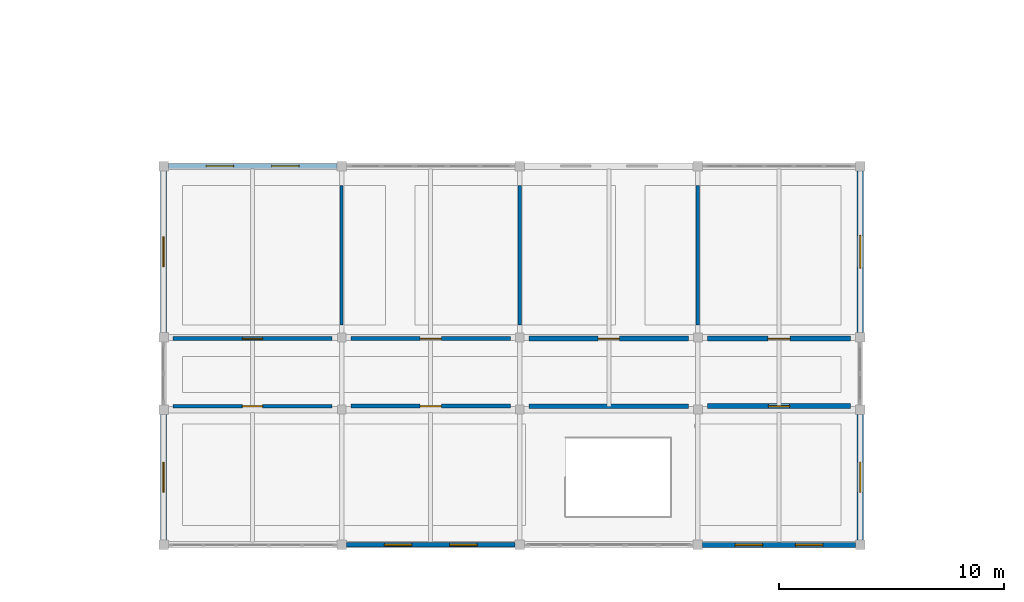
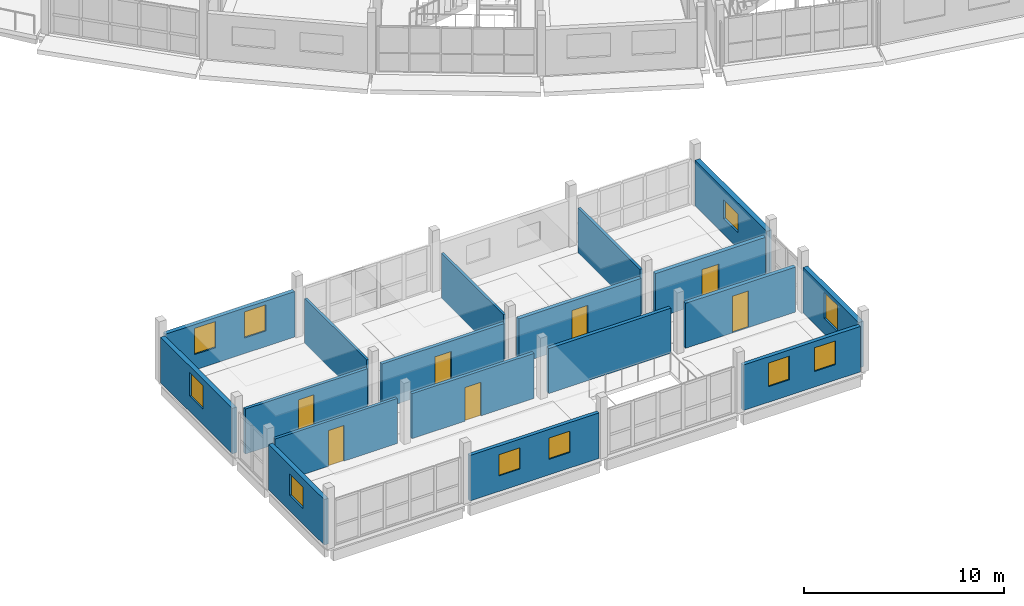
# One storey, part 52 of 66: 18 walls, 10 windows, 7 doors, 17 openings.
"""IFC4 building model written with IfcOpenShell, lengths in metres."""

from ifc_helpers import new_model, si_unit, direction, frame, frame_2d, origin, place, context, subcontext, project, spatial, rectangle, extrude, material, layer, layer_set, type_object, element, fill, save


model = new_model("IFC4")

# Units and contexts
model_context = context("Model", 3, precision=1e-05, world=origin(), true_north=direction((0.0, 1.0)))
body_context = subcontext(model_context, "Body", "Model", "MODEL_VIEW")
ifc_project = project(units=[si_unit("LENGTHUNIT", "METRE"), si_unit("AREAUNIT", "SQUARE_METRE"), si_unit("VOLUMEUNIT", "CUBIC_METRE"), si_unit("PLANEANGLEUNIT", "RADIAN"), si_unit("MASSUNIT", "GRAM", prefix="KILO")], contexts=[model_context])

# Site, building, storey
site_placement = place(None, origin())
site = spatial("IfcSite", under=ifc_project, at=site_placement, CompositionType="ELEMENT")
building_placement = place(site_placement, origin())
building = spatial("IfcBuilding", under=site, at=building_placement, Name="Caldaven Crescent School", CompositionType="ELEMENT")
storey_placement = place(building_placement, frame((0.0, 0.0, 8.159912109375)))
storey = spatial("IfcBuildingStorey", under=building, at=storey_placement, Name="L02", CompositionType="ELEMENT", Elevation=8.159912109375)

# Wall, openings, windows
ifc_material_1 = material(Name="Precast concrete C35/45", Category="concrete")
ifc_layer_1 = layer(ifc_material_1, 0.2041015625)
ifc_layer_set_1 = layer_set([ifc_layer_1], Name="Precast concrete C35/45")
wall_type_1 = type_object("IfcWallType", Name="WAL-EW02", PredefinedType="STANDARD", material=ifc_layer_set_1)
wall_1_placement = place(storey_placement, frame((33.613037109375, 4.199951171875, 0.0), z_axis=(0.0, 0.0, 1.0), x_axis=(1.0, 0.0, 0.0)))
wall_1 = element("IfcWall", 1, at=wall_1_placement, inside=storey, type_object=wall_type_1, Name="EW-L02-071", PredefinedType="STANDARD", context=body_context, shape_type="SweptSolid", body=[
    extrude(rectangle(XDim=7.473876953125, YDim=0.2041015625, at=frame_2d((3.73681640625, 0.0))), origin(), (0.0, 0.0, 1.0), 2.780029296875),
])
opening_1_placement = place(wall_1_placement, frame((1.677978515625, 0.0, 0.949951171875)))
opening_1 = element("IfcOpeningElement", 2, at=opening_1_placement, cuts=wall_1, Name="Opening W06", PredefinedType="OPENING", context=body_context, shape_type="SweptSolid", body=[
    extrude(rectangle(XDim=1.219970703125, YDim=1.300048828125, at=frame_2d((0.60986328125, 0.64990234375))), frame((0.0, 0.112060546875, 0.0), z_axis=(0.0, -1.0, 0.0), x_axis=(1.0, 0.0, 0.0)), (0.0, 0.0, 1.0), 0.22412109375),
])
opening_2_placement = place(wall_1_placement, frame((4.575927734375, 0.0, 0.949951171875)))
opening_2 = element("IfcOpeningElement", 3, at=opening_2_placement, cuts=wall_1, Name="Opening W06", PredefinedType="OPENING", context=body_context, shape_type="SweptSolid", body=[
    extrude(rectangle(XDim=1.219970703125, YDim=1.300048828125, at=frame_2d((0.60986328125, 0.64990234375))), frame((0.0, 0.112060546875, 0.0), z_axis=(0.0, -1.0, 0.0), x_axis=(1.0, 0.0, 0.0)), (0.0, 0.0, 1.0), 0.22412109375),
])
ifc_material_2 = material(Name="Thermally broken anodised aluminium AA 6063-T6 and low-E double glazing", Category="aluminium")
window_type_1 = type_object("IfcWindowType", Name="WIN-W06", PartitioningType="SINGLE_PANEL", PredefinedType="WINDOW", material=ifc_material_2)
window_1_placement = place(opening_1_placement, origin())
window_1 = element("IfcWindow", 4, at=window_1_placement, inside=storey, type_object=window_type_1, Name="WIN-L02-053-1", OverallHeight=1.300048828125, OverallWidth=1.219970703125, PartitioningType="SINGLE_PANEL", PredefinedType="WINDOW", context=body_context, shape_type="SweptSolid", body=[
    extrude(rectangle(XDim=1.219970703125, YDim=1.300048828125, at=frame_2d((0.60986328125, 0.64990234375))), frame((0.0, 0.030029296875, 0.0), z_axis=(0.0, -1.0, 0.0), x_axis=(1.0, 0.0, 0.0)), (0.0, 0.0, 1.0), 0.06005859375),
])
fill(opening_1, window_1)
window_2_placement = place(opening_2_placement, origin())
window_2 = element("IfcWindow", 5, at=window_2_placement, inside=storey, type_object=window_type_1, Name="WIN-L02-053-2", OverallHeight=1.300048828125, OverallWidth=1.219970703125, PartitioningType="SINGLE_PANEL", PredefinedType="WINDOW", context=body_context, shape_type="SweptSolid", body=[
    extrude(rectangle(XDim=1.219970703125, YDim=1.300048828125, at=frame_2d((0.60986328125, 0.64990234375))), frame((0.0, 0.030029296875, 0.0), z_axis=(0.0, -1.0, 0.0), x_axis=(1.0, 0.0, 0.0)), (0.0, 0.0, 1.0), 0.06005859375),
])
fill(opening_2, window_2)

ifc_layer_2 = layer(ifc_material_1, 0.216064453125)
ifc_layer_set_2 = layer_set([ifc_layer_2], Name="Precast concrete C35/45")
wall_type_2 = type_object("IfcWallType", Name="WAL-EW03", PredefinedType="STANDARD", material=ifc_layer_set_2)
wall_2_placement = place(storey_placement, frame((49.4130859375, 4.199951171875, 0.0), z_axis=(0.0, 0.0, 1.0), x_axis=(1.0, 0.0, 0.0)))
wall_2 = element("IfcWall", 6, at=wall_2_placement, inside=storey, type_object=wall_type_2, Name="EW-L02-072", PredefinedType="STANDARD", context=body_context, shape_type="SweptSolid", body=[
    extrude(rectangle(XDim=6.77392578125, YDim=0.216064453125, at=frame_2d((3.386962890625, 0.0))), origin(), (0.0, 0.0, 1.0), 2.780029296875),
])
opening_3_placement = place(wall_2_placement, frame((1.444580078125, 0.0, 0.949951171875)))
opening_3 = element("IfcOpeningElement", 7, at=opening_3_placement, cuts=wall_2, Name="Opening W07", PredefinedType="OPENING", context=body_context, shape_type="SweptSolid", body=[
    extrude(rectangle(XDim=1.219970703125, YDim=1.449951171875, at=frame_2d((0.60986328125, 0.72509765625))), frame((0.0, 0.117919921875, 0.0), z_axis=(0.0, -1.0, 0.0), x_axis=(1.0, 0.0, 0.0)), (0.0, 0.0, 1.0), 0.236083984375),
])
opening_4_placement = place(wall_2_placement, frame((4.109375, 0.0, 0.949951171875)))
opening_4 = element("IfcOpeningElement", 8, at=opening_4_placement, cuts=wall_2, Name="Opening W07", PredefinedType="OPENING", context=body_context, shape_type="SweptSolid", body=[
    extrude(rectangle(XDim=1.219970703125, YDim=1.449951171875, at=frame_2d((0.60986328125, 0.72509765625))), frame((0.0, 0.117919921875, 0.0), z_axis=(0.0, -1.0, 0.0), x_axis=(1.0, 0.0, 0.0)), (0.0, 0.0, 1.0), 0.236083984375),
])
window_type_2 = type_object("IfcWindowType", Name="WIN-W07", PartitioningType="SINGLE_PANEL", PredefinedType="WINDOW", material=ifc_material_2)
window_3_placement = place(opening_3_placement, origin())
window_3 = element("IfcWindow", 9, at=window_3_placement, inside=storey, type_object=window_type_2, Name="WIN-L02-054-1", OverallHeight=1.449951171875, OverallWidth=1.219970703125, PartitioningType="SINGLE_PANEL", PredefinedType="WINDOW", context=body_context, shape_type="SweptSolid", body=[
    extrude(rectangle(XDim=1.219970703125, YDim=1.449951171875, at=frame_2d((0.60986328125, 0.72509765625))), frame((0.0, 0.030029296875, 0.0), z_axis=(0.0, -1.0, 0.0), x_axis=(1.0, 0.0, 0.0)), (0.0, 0.0, 1.0), 0.06005859375),
])
fill(opening_3, window_3)
window_4_placement = place(opening_4_placement, origin())
window_4 = element("IfcWindow", 10, at=window_4_placement, inside=storey, type_object=window_type_2, Name="WIN-L02-054-2", OverallHeight=1.449951171875, OverallWidth=1.219970703125, PartitioningType="SINGLE_PANEL", PredefinedType="WINDOW", context=body_context, shape_type="SweptSolid", body=[
    extrude(rectangle(XDim=1.219970703125, YDim=1.449951171875, at=frame_2d((0.60986328125, 0.72509765625))), frame((0.0, 0.030029296875, 0.0), z_axis=(0.0, -1.0, 0.0), x_axis=(1.0, 0.0, 0.0)), (0.0, 0.0, 1.0), 0.06005859375),
])
fill(opening_4, window_4)

ifc_layer_3 = layer(ifc_material_1, 0.22802734375)
ifc_layer_set_3 = layer_set([ifc_layer_3], Name="Precast concrete C35/45")
wall_type_3 = type_object("IfcWallType", Name="WAL-EW04", PredefinedType="STANDARD", material=ifc_layer_set_3)
wall_3_placement = place(storey_placement, frame((25.712890625, 21.0, 0.0), z_axis=(0.0, 0.0, 1.0), x_axis=(1.0, 0.0, 0.0)))
wall_3 = element("IfcWall", 11, at=wall_3_placement, inside=storey, type_object=wall_type_3, Name="EW-L02-073", PredefinedType="STANDARD", context=body_context, shape_type="SweptSolid", body=[
    extrude(rectangle(XDim=7.47412109375, YDim=0.22802734375, at=frame_2d((3.737060546875, 0.0))), origin(), (0.0, 0.0, 1.0), 2.780029296875),
])
opening_5_placement = place(wall_3_placement, frame((1.677978515625, 0.0, 0.949951171875)))
opening_5 = element("IfcOpeningElement", 12, at=opening_5_placement, cuts=wall_3, Name="Opening W08", PredefinedType="OPENING", context=body_context, shape_type="SweptSolid", body=[
    extrude(rectangle(XDim=1.219970703125, YDim=1.60009765625, at=frame_2d((0.60986328125, 0.800048828125))), frame((0.0, 0.1240234375, 0.0), z_axis=(0.0, -1.0, 0.0), x_axis=(1.0, 0.0, 0.0)), (0.0, 0.0, 1.0), 0.248046875),
])
opening_6_placement = place(wall_3_placement, frame((4.575927734375, 0.0, 0.949951171875)))
opening_6 = element("IfcOpeningElement", 13, at=opening_6_placement, cuts=wall_3, Name="Opening W08", PredefinedType="OPENING", context=body_context, shape_type="SweptSolid", body=[
    extrude(rectangle(XDim=1.219970703125, YDim=1.60009765625, at=frame_2d((0.60986328125, 0.800048828125))), frame((0.0, 0.1240234375, 0.0), z_axis=(0.0, -1.0, 0.0), x_axis=(1.0, 0.0, 0.0)), (0.0, 0.0, 1.0), 0.248046875),
])
window_type_3 = type_object("IfcWindowType", Name="WIN-W08", PartitioningType="SINGLE_PANEL", PredefinedType="WINDOW", material=ifc_material_2)
window_5_placement = place(opening_5_placement, origin())
window_5 = element("IfcWindow", 14, at=window_5_placement, inside=storey, type_object=window_type_3, Name="WIN-L02-055-1", OverallHeight=1.60009765625, OverallWidth=1.219970703125, PartitioningType="SINGLE_PANEL", PredefinedType="WINDOW", context=body_context, shape_type="SweptSolid", body=[
    extrude(rectangle(XDim=1.219970703125, YDim=1.60009765625, at=frame_2d((0.60986328125, 0.800048828125))), frame((0.0, 0.030029296875, 0.0), z_axis=(0.0, -1.0, 0.0), x_axis=(1.0, 0.0, 0.0)), (0.0, 0.0, 1.0), 0.06005859375),
])
fill(opening_5, window_5)
window_6_placement = place(opening_6_placement, origin())
window_6 = element("IfcWindow", 15, at=window_6_placement, inside=storey, type_object=window_type_3, Name="WIN-L02-055-2", OverallHeight=1.60009765625, OverallWidth=1.219970703125, PartitioningType="SINGLE_PANEL", PredefinedType="WINDOW", context=body_context, shape_type="SweptSolid", body=[
    extrude(rectangle(XDim=1.219970703125, YDim=1.60009765625, at=frame_2d((0.60986328125, 0.800048828125))), frame((0.0, 0.030029296875, 0.0), z_axis=(0.0, -1.0, 0.0), x_axis=(1.0, 0.0, 0.0)), (0.0, 0.0, 1.0), 0.06005859375),
])
fill(opening_6, window_6)

# Wall, opening, window
ifc_layer_4 = layer(ifc_material_1, 0.251953125)
ifc_layer_set_4 = layer_set([ifc_layer_4], Name="Precast concrete C35/45")
wall_type_4 = type_object("IfcWallType", Name="WAL-EW06", PredefinedType="STANDARD", material=ifc_layer_set_4)
wall_4_placement = place(storey_placement, frame((25.5, 4.4130859375, 0.0), z_axis=(0.0, 0.0, 1.0), x_axis=(0.0, 1.0, 0.0)))
wall_4 = element("IfcWall", 16, at=wall_4_placement, inside=storey, type_object=wall_type_4, Name="EW-L02-075", PredefinedType="STANDARD", context=body_context, shape_type="SweptSolid", body=[
    extrude(rectangle(XDim=5.573974609375, YDim=0.251953125, at=frame_2d((2.787109375, 0.0))), origin(), (0.0, 0.0, 1.0), 2.780029296875),
])
opening_7_placement = place(wall_4_placement, frame((2.116943359375, 0.0, 0.949951171875)))
opening_7 = element("IfcOpeningElement", 17, at=opening_7_placement, cuts=wall_4, Name="Opening W10", PredefinedType="OPENING", context=body_context, shape_type="SweptSolid", body=[
    extrude(rectangle(XDim=1.340087890625, YDim=1.300048828125, at=frame_2d((0.669921875, 0.64990234375))), frame((0.0, 0.135986328125, 0.0), z_axis=(0.0, -1.0, 0.0), x_axis=(1.0, 0.0, 0.0)), (0.0, 0.0, 1.0), 0.27197265625),
])
window_type_4 = type_object("IfcWindowType", Name="WIN-W10", PartitioningType="SINGLE_PANEL", PredefinedType="WINDOW", material=ifc_material_2)
window_7_placement = place(opening_7_placement, origin())
window_7 = element("IfcWindow", 18, at=window_7_placement, inside=storey, type_object=window_type_4, Name="WIN-L02-057-1", OverallHeight=1.300048828125, OverallWidth=1.340087890625, PartitioningType="SINGLE_PANEL", PredefinedType="WINDOW", context=body_context, shape_type="SweptSolid", body=[
    extrude(rectangle(XDim=1.340087890625, YDim=1.300048828125, at=frame_2d((0.669921875, 0.64990234375))), frame((0.0, 0.030029296875, 0.0), z_axis=(0.0, -1.0, 0.0), x_axis=(1.0, 0.0, 0.0)), (0.0, 0.0, 1.0), 0.06005859375),
])
fill(opening_7, window_7)

ifc_layer_5 = layer(ifc_material_1, 0.263916015625)
ifc_layer_set_5 = layer_set([ifc_layer_5], Name="Precast concrete C35/45")
wall_type_5 = type_object("IfcWallType", Name="WAL-EW07", PredefinedType="STANDARD", material=ifc_layer_set_5)
wall_5_placement = place(storey_placement, frame((25.5, 13.613037109375, 0.0), z_axis=(0.0, 0.0, 1.0), x_axis=(0.0, 1.0, 0.0)))
wall_5 = element("IfcWall", 19, at=wall_5_placement, inside=storey, type_object=wall_type_5, Name="EW-L02-076", PredefinedType="STANDARD", context=body_context, shape_type="SweptSolid", body=[
    extrude(rectangle(XDim=7.174072265625, YDim=0.263916015625, at=frame_2d((3.5869140625, 0.0))), origin(), (0.0, 0.0, 1.0), 2.780029296875),
])
opening_8_placement = place(wall_5_placement, frame((2.9169921875, 0.0, 0.949951171875)))
opening_8 = element("IfcOpeningElement", 20, at=opening_8_placement, cuts=wall_5, Name="Opening W11", PredefinedType="OPENING", context=body_context, shape_type="SweptSolid", body=[
    extrude(rectangle(XDim=1.340087890625, YDim=1.449951171875, at=frame_2d((0.669921875, 0.72509765625))), frame((0.0, 0.141845703125, 0.0), z_axis=(0.0, -1.0, 0.0), x_axis=(1.0, 0.0, 0.0)), (0.0, 0.0, 1.0), 0.283935546875),
])
window_type_5 = type_object("IfcWindowType", Name="WIN-W11", PartitioningType="SINGLE_PANEL", PredefinedType="WINDOW", material=ifc_material_2)
window_8_placement = place(opening_8_placement, origin())
window_8 = element("IfcWindow", 21, at=window_8_placement, inside=storey, type_object=window_type_5, Name="WIN-L02-058-1", OverallHeight=1.449951171875, OverallWidth=1.340087890625, PartitioningType="SINGLE_PANEL", PredefinedType="WINDOW", context=body_context, shape_type="SweptSolid", body=[
    extrude(rectangle(XDim=1.340087890625, YDim=1.449951171875, at=frame_2d((0.669921875, 0.72509765625))), frame((0.0, 0.030029296875, 0.0), z_axis=(0.0, -1.0, 0.0), x_axis=(1.0, 0.0, 0.0)), (0.0, 0.0, 1.0), 0.06005859375),
])
fill(opening_8, window_8)

ifc_layer_6 = layer(ifc_material_1, 0.27587890625)
ifc_layer_set_6 = layer_set([ifc_layer_6], Name="Precast concrete C35/45")
wall_type_6 = type_object("IfcWallType", Name="WAL-EW08", PredefinedType="STANDARD", material=ifc_layer_set_6)
wall_6_placement = place(storey_placement, frame((56.39990234375, 4.4130859375, 0.0), z_axis=(0.0, 0.0, 1.0), x_axis=(0.0, 1.0, 0.0)))
wall_6 = element("IfcWall", 22, at=wall_6_placement, inside=storey, type_object=wall_type_6, Name="EW-L02-077", PredefinedType="STANDARD", context=body_context, shape_type="SweptSolid", body=[
    extrude(rectangle(XDim=5.573974609375, YDim=0.27587890625, at=frame_2d((2.787109375, 0.0))), origin(), (0.0, 0.0, 1.0), 2.780029296875),
])
opening_9_placement = place(wall_6_placement, frame((2.116943359375, 0.0, 0.949951171875)))
opening_9 = element("IfcOpeningElement", 23, at=opening_9_placement, cuts=wall_6, Name="Opening W12", PredefinedType="OPENING", context=body_context, shape_type="SweptSolid", body=[
    extrude(rectangle(XDim=1.340087890625, YDim=1.60009765625, at=frame_2d((0.669921875, 0.800048828125))), frame((0.0, 0.14794921875, 0.0), z_axis=(0.0, -1.0, 0.0), x_axis=(1.0, 0.0, 0.0)), (0.0, 0.0, 1.0), 0.2958984375),
])
window_type_6 = type_object("IfcWindowType", Name="WIN-W12", PartitioningType="SINGLE_PANEL", PredefinedType="WINDOW", material=ifc_material_2)
window_9_placement = place(opening_9_placement, origin())
window_9 = element("IfcWindow", 24, at=window_9_placement, inside=storey, type_object=window_type_6, Name="WIN-L02-059-1", OverallHeight=1.60009765625, OverallWidth=1.340087890625, PartitioningType="SINGLE_PANEL", PredefinedType="WINDOW", context=body_context, shape_type="SweptSolid", body=[
    extrude(rectangle(XDim=1.340087890625, YDim=1.60009765625, at=frame_2d((0.669921875, 0.800048828125))), frame((0.0, 0.030029296875, 0.0), z_axis=(0.0, -1.0, 0.0), x_axis=(1.0, 0.0, 0.0)), (0.0, 0.0, 1.0), 0.06005859375),
])
fill(opening_9, window_9)

ifc_layer_7 = layer(ifc_material_1, 0.2880859375)
ifc_layer_set_7 = layer_set([ifc_layer_7], Name="Precast concrete C35/45")
wall_type_7 = type_object("IfcWallType", Name="WAL-EW09", PredefinedType="STANDARD", material=ifc_layer_set_7)
wall_7_placement = place(storey_placement, frame((56.39990234375, 13.613037109375, 0.0), z_axis=(0.0, 0.0, 1.0), x_axis=(0.0, 1.0, 0.0)))
wall_7 = element("IfcWall", 25, at=wall_7_placement, inside=storey, type_object=wall_type_7, Name="EW-L02-078", PredefinedType="STANDARD", context=body_context, shape_type="SweptSolid", body=[
    extrude(rectangle(XDim=7.174072265625, YDim=0.2880859375, at=frame_2d((3.5869140625, 0.0))), origin(), (0.0, 0.0, 1.0), 2.780029296875),
])
opening_10_placement = place(wall_7_placement, frame((2.85693359375, 0.0, 0.949951171875)))
opening_10 = element("IfcOpeningElement", 26, at=opening_10_placement, cuts=wall_7, Name="Opening W13", PredefinedType="OPENING", context=body_context, shape_type="SweptSolid", body=[
    extrude(rectangle(XDim=1.4599609375, YDim=1.14990234375, at=frame_2d((0.72998046875, 0.574951171875))), frame((0.0, 0.154052734375, 0.0), z_axis=(0.0, -1.0, 0.0), x_axis=(1.0, 0.0, 0.0)), (0.0, 0.0, 1.0), 0.30810546875),
])
window_type_7 = type_object("IfcWindowType", Name="WIN-W13", PartitioningType="SINGLE_PANEL", PredefinedType="WINDOW", material=ifc_material_2)
window_10_placement = place(opening_10_placement, origin())
window_10 = element("IfcWindow", 27, at=window_10_placement, inside=storey, type_object=window_type_7, Name="WIN-L02-060-1", OverallHeight=1.14990234375, OverallWidth=1.4599609375, PartitioningType="SINGLE_PANEL", PredefinedType="WINDOW", context=body_context, shape_type="SweptSolid", body=[
    extrude(rectangle(XDim=1.4599609375, YDim=1.14990234375, at=frame_2d((0.72998046875, 0.574951171875))), frame((0.0, 0.030029296875, 0.0), z_axis=(0.0, -1.0, 0.0), x_axis=(1.0, 0.0, 0.0)), (0.0, 0.0, 1.0), 0.06005859375),
])
fill(opening_10, window_10)

# Wall, opening, door
ifc_material_3 = material(Name="Acoustic timber-stud and fire-rated gypsum board assembly", Category="wood")
ifc_layer_8 = layer(ifc_material_3, 0.159912109375)
ifc_layer_set_8 = layer_set([ifc_layer_8], Name="Acoustic timber-stud and fire-rated gypsum board assembly")
wall_type_8 = type_object("IfcWallType", Name="WAL-IW01", PredefinedType="STANDARD", material=ifc_layer_set_8)
wall_8_placement = place(storey_placement, frame((25.919921875, 10.35009765625, 0.0), z_axis=(0.0, 0.0, 1.0), x_axis=(1.0, 0.0, 0.0)))
wall_8 = element("IfcWall", 28, at=wall_8_placement, inside=storey, type_object=wall_type_8, Name="IW-L02-0128", PredefinedType="STANDARD", context=body_context, shape_type="SweptSolid", body=[
    extrude(rectangle(XDim=7.06005859375, YDim=0.159912109375, at=frame_2d((3.530029296875, 0.0))), origin(), (0.0, 0.0, 1.0), 2.75),
])
opening_11_placement = place(wall_8_placement, frame((3.080078125, 0.0, 0.0)))
opening_11 = element("IfcOpeningElement", 29, at=opening_11_placement, cuts=wall_8, Name="Opening D-L02-I086", PredefinedType="OPENING", context=body_context, shape_type="SweptSolid", body=[
    extrude(rectangle(XDim=0.89990234375, YDim=2.179931640625, at=frame_2d((0.449951171875, 1.08984375))), frame((0.0, 0.08984375, 0.0), z_axis=(0.0, -1.0, 0.0), x_axis=(1.0, 0.0, 0.0)), (0.0, 0.0, 1.0), 0.179931640625),
])
ifc_material_4 = material(Name="Solid-core Pino Radiata acoustic timber leaf in steel frame", Category="steel")
door_type_1 = type_object("IfcDoorType", Name="DOR-ID07", OperationType="NOTDEFINED", PredefinedType="DOOR", material=ifc_material_4)
door_1_placement = place(opening_11_placement, origin())
door_1 = element("IfcDoor", 30, at=door_1_placement, inside=storey, type_object=door_type_1, Name="DOR-INT-L02-0086", OperationType="SINGLE_SWING_LEFT", OverallHeight=2.179931640625, OverallWidth=0.89990234375, PredefinedType="DOOR", context=body_context, shape_type="SweptSolid", body=[
    extrude(rectangle(XDim=0.89990234375, YDim=2.179931640625, at=frame_2d((0.449951171875, 1.08984375))), frame((0.0, 0.02490234375, 0.0), z_axis=(0.0, -1.0, 0.0), x_axis=(1.0, 0.0, 0.0)), (0.0, 0.0, 1.0), 0.050048828125),
])
fill(opening_11, door_1)

ifc_layer_9 = layer(ifc_material_3, 0.169921875)
ifc_layer_set_9 = layer_set([ifc_layer_9], Name="Acoustic timber-stud and fire-rated gypsum board assembly")
wall_type_9 = type_object("IfcWallType", Name="WAL-IW02", PredefinedType="STANDARD", material=ifc_layer_set_9)
wall_9_placement = place(storey_placement, frame((25.919921875, 13.35009765625, 0.0), z_axis=(0.0, 0.0, 1.0), x_axis=(1.0, 0.0, 0.0)))
wall_9 = element("IfcWall", 31, at=wall_9_placement, inside=storey, type_object=wall_type_9, Name="IW-L02-0129", PredefinedType="STANDARD", context=body_context, shape_type="SweptSolid", body=[
    extrude(rectangle(XDim=7.06005859375, YDim=0.169921875, at=frame_2d((3.530029296875, 0.0))), origin(), (0.0, 0.0, 1.0), 2.75),
])
opening_12_placement = place(wall_9_placement, frame((3.080078125, 0.0, 0.0)))
opening_12 = element("IfcOpeningElement", 32, at=opening_12_placement, cuts=wall_9, Name="Opening D-L02-I087", PredefinedType="OPENING", context=body_context, shape_type="SweptSolid", body=[
    extrude(rectangle(XDim=0.89990234375, YDim=2.239990234375, at=frame_2d((0.449951171875, 1.1201171875))), frame((0.0, 0.094970703125, 0.0), z_axis=(0.0, -1.0, 0.0), x_axis=(1.0, 0.0, 0.0)), (0.0, 0.0, 1.0), 0.18994140625),
])
door_type_2 = type_object("IfcDoorType", Name="DOR-ID08", OperationType="NOTDEFINED", PredefinedType="DOOR", material=ifc_material_4)
door_2_placement = place(opening_12_placement, frame((0.89990234375, 0.0, 0.0), z_axis=(0.0, 0.0, 1.0), x_axis=(-1.0, 0.0, 0.0)))
door_2 = element("IfcDoor", 33, at=door_2_placement, inside=storey, type_object=door_type_2, Name="DOR-INT-L02-0087", OperationType="SINGLE_SWING_RIGHT", OverallHeight=2.239990234375, OverallWidth=0.89990234375, PredefinedType="DOOR", context=body_context, shape_type="SweptSolid", body=[
    extrude(rectangle(XDim=0.89990234375, YDim=2.239990234375, at=frame_2d((0.449951171875, 1.1201171875))), frame((0.0, 0.02490234375, 0.0), z_axis=(0.0, -1.0, 0.0), x_axis=(1.0, 0.0, 0.0)), (0.0, 0.0, 1.0), 0.050048828125),
])
fill(opening_12, door_2)

ifc_layer_10 = layer(ifc_material_3, 0.179931640625)
ifc_layer_set_10 = layer_set([ifc_layer_10], Name="Acoustic timber-stud and fire-rated gypsum board assembly")
wall_type_10 = type_object("IfcWallType", Name="WAL-IW03", PredefinedType="STANDARD", material=ifc_layer_set_10)
wall_10_placement = place(storey_placement, frame((33.820068359375, 10.35009765625, 0.0), z_axis=(0.0, 0.0, 1.0), x_axis=(1.0, 0.0, 0.0)))
wall_10 = element("IfcWall", 34, at=wall_10_placement, inside=storey, type_object=wall_type_10, Name="IW-L02-0130", PredefinedType="STANDARD", context=body_context, shape_type="SweptSolid", body=[
    extrude(rectangle(XDim=7.059814453125, YDim=0.179931640625, at=frame_2d((3.52978515625, 0.0))), origin(), (0.0, 0.0, 1.0), 2.75),
])
opening_13_placement = place(wall_10_placement, frame((3.06005859375, 0.0, 0.0)))
opening_13 = element("IfcOpeningElement", 35, at=opening_13_placement, cuts=wall_10, Name="Opening D-L02-I088", PredefinedType="OPENING", context=body_context, shape_type="SweptSolid", body=[
    extrude(rectangle(XDim=0.93994140625, YDim=2.06005859375, at=frame_2d((0.469970703125, 1.030029296875))), frame((0.0, 0.099853515625, 0.0), z_axis=(0.0, -1.0, 0.0), x_axis=(1.0, 0.0, 0.0)), (0.0, 0.0, 1.0), 0.199951171875),
])
door_type_3 = type_object("IfcDoorType", Name="DOR-ID09", OperationType="NOTDEFINED", PredefinedType="DOOR", material=ifc_material_4)
door_3_placement = place(opening_13_placement, origin())
door_3 = element("IfcDoor", 36, at=door_3_placement, inside=storey, type_object=door_type_3, Name="DOR-INT-L02-0088", OperationType="SINGLE_SWING_LEFT", OverallHeight=2.06005859375, OverallWidth=0.93994140625, PredefinedType="DOOR", context=body_context, shape_type="SweptSolid", body=[
    extrude(rectangle(XDim=0.93994140625, YDim=2.06005859375, at=frame_2d((0.469970703125, 1.030029296875))), frame((0.0, 0.02490234375, 0.0), z_axis=(0.0, -1.0, 0.0), x_axis=(1.0, 0.0, 0.0)), (0.0, 0.0, 1.0), 0.050048828125),
])
fill(opening_13, door_3)

ifc_layer_11 = layer(ifc_material_3, 0.18994140625)
ifc_layer_set_11 = layer_set([ifc_layer_11], Name="Acoustic timber-stud and fire-rated gypsum board assembly")
wall_type_11 = type_object("IfcWallType", Name="WAL-IW04", PredefinedType="STANDARD", material=ifc_layer_set_11)
wall_11_placement = place(storey_placement, frame((33.820068359375, 13.35009765625, 0.0), z_axis=(0.0, 0.0, 1.0), x_axis=(1.0, 0.0, 0.0)))
wall_11 = element("IfcWall", 37, at=wall_11_placement, inside=storey, type_object=wall_type_11, Name="IW-L02-0131", PredefinedType="STANDARD", context=body_context, shape_type="SweptSolid", body=[
    extrude(rectangle(XDim=7.059814453125, YDim=0.18994140625, at=frame_2d((3.52978515625, 0.0))), origin(), (0.0, 0.0, 1.0), 2.75),
])
opening_14_placement = place(wall_11_placement, frame((3.06005859375, 0.0, 0.0)))
opening_14 = element("IfcOpeningElement", 38, at=opening_14_placement, cuts=wall_11, Name="Opening D-L02-I089", PredefinedType="OPENING", context=body_context, shape_type="SweptSolid", body=[
    extrude(rectangle(XDim=0.93994140625, YDim=2.1201171875, at=frame_2d((0.469970703125, 1.06005859375))), frame((0.0, 0.10498046875, 0.0), z_axis=(0.0, -1.0, 0.0), x_axis=(1.0, 0.0, 0.0)), (0.0, 0.0, 1.0), 0.2099609375),
])
door_type_4 = type_object("IfcDoorType", Name="DOR-ID10", OperationType="NOTDEFINED", PredefinedType="DOOR", material=ifc_material_4)
door_4_placement = place(opening_14_placement, frame((0.93994140625, 0.0, 0.0), z_axis=(0.0, 0.0, 1.0), x_axis=(-1.0, 0.0, 0.0)))
door_4 = element("IfcDoor", 39, at=door_4_placement, inside=storey, type_object=door_type_4, Name="DOR-INT-L02-0089", OperationType="SINGLE_SWING_RIGHT", OverallHeight=2.1201171875, OverallWidth=0.93994140625, PredefinedType="DOOR", context=body_context, shape_type="SweptSolid", body=[
    extrude(rectangle(XDim=0.93994140625, YDim=2.1201171875, at=frame_2d((0.469970703125, 1.06005859375))), frame((0.0, 0.02490234375, 0.0), z_axis=(0.0, -1.0, 0.0), x_axis=(1.0, 0.0, 0.0)), (0.0, 0.0, 1.0), 0.050048828125),
])
fill(opening_14, door_4)

# Wall
ifc_layer_12 = layer(ifc_material_3, 0.199951171875)
ifc_layer_set_12 = layer_set([ifc_layer_12], Name="Acoustic timber-stud and fire-rated gypsum board assembly")
wall_type_12 = type_object("IfcWallType", Name="WAL-IW05", PredefinedType="STANDARD", material=ifc_layer_set_12)
wall_12_placement = place(storey_placement, frame((41.719970703125, 10.35009765625, 0.0), z_axis=(0.0, 0.0, 1.0), x_axis=(1.0, 0.0, 0.0)))
element("IfcWall", 40, at=wall_12_placement, inside=storey, type_object=wall_type_12, Name="IW-L02-0132", PredefinedType="STANDARD", context=body_context, shape_type="SweptSolid", body=[
    extrude(rectangle(XDim=7.06005859375, YDim=0.199951171875, at=frame_2d((3.530029296875, 0.0))), origin(), (0.0, 0.0, 1.0), 2.75),
])

# Wall, opening, door
ifc_layer_13 = layer(ifc_material_3, 0.2099609375)
ifc_layer_set_13 = layer_set([ifc_layer_13], Name="Acoustic timber-stud and fire-rated gypsum board assembly")
wall_type_13 = type_object("IfcWallType", Name="WAL-IW06", PredefinedType="STANDARD", material=ifc_layer_set_13)
wall_13_placement = place(storey_placement, frame((41.719970703125, 13.35009765625, 0.0), z_axis=(0.0, 0.0, 1.0), x_axis=(1.0, 0.0, 0.0)))
wall_13 = element("IfcWall", 41, at=wall_13_placement, inside=storey, type_object=wall_type_13, Name="IW-L02-0133", PredefinedType="STANDARD", context=body_context, shape_type="SweptSolid", body=[
    extrude(rectangle(XDim=7.06005859375, YDim=0.2099609375, at=frame_2d((3.530029296875, 0.0))), origin(), (0.0, 0.0, 1.0), 2.75),
])
opening_15_placement = place(wall_13_placement, frame((3.06005859375, 0.0, 0.0)))
opening_15 = element("IfcOpeningElement", 42, at=opening_15_placement, cuts=wall_13, Name="Opening D-L02-I090", PredefinedType="OPENING", context=body_context, shape_type="SweptSolid", body=[
    extrude(rectangle(XDim=0.93994140625, YDim=2.179931640625, at=frame_2d((0.469970703125, 1.08984375))), frame((0.0, 0.114990234375, 0.0), z_axis=(0.0, -1.0, 0.0), x_axis=(1.0, 0.0, 0.0)), (0.0, 0.0, 1.0), 0.22998046875),
])
door_type_5 = type_object("IfcDoorType", Name="DOR-ID11", OperationType="NOTDEFINED", PredefinedType="DOOR", material=ifc_material_4)
door_5_placement = place(opening_15_placement, frame((0.93994140625, 0.0, 0.0), z_axis=(0.0, 0.0, 1.0), x_axis=(-1.0, 0.0, 0.0)))
door_5 = element("IfcDoor", 43, at=door_5_placement, inside=storey, type_object=door_type_5, Name="DOR-INT-L02-0090", OperationType="SINGLE_SWING_LEFT", OverallHeight=2.179931640625, OverallWidth=0.93994140625, PredefinedType="DOOR", context=body_context, shape_type="SweptSolid", body=[
    extrude(rectangle(XDim=0.93994140625, YDim=2.179931640625, at=frame_2d((0.469970703125, 1.08984375))), frame((0.0, 0.02490234375, 0.0), z_axis=(0.0, -1.0, 0.0), x_axis=(1.0, 0.0, 0.0)), (0.0, 0.0, 1.0), 0.050048828125),
])
fill(opening_15, door_5)

ifc_layer_14 = layer(ifc_material_3, 0.219970703125)
ifc_layer_set_14 = layer_set([ifc_layer_14], Name="Acoustic timber-stud and fire-rated gypsum board assembly")
wall_type_14 = type_object("IfcWallType", Name="WAL-IW07", PredefinedType="STANDARD", material=ifc_layer_set_14)
wall_14_placement = place(storey_placement, frame((49.6201171875, 10.35009765625, 0.0), z_axis=(0.0, 0.0, 1.0), x_axis=(1.0, 0.0, 0.0)))
wall_14 = element("IfcWall", 44, at=wall_14_placement, inside=storey, type_object=wall_type_14, Name="IW-L02-0134", PredefinedType="STANDARD", context=body_context, shape_type="SweptSolid", body=[
    extrude(rectangle(XDim=6.35986328125, YDim=0.219970703125, at=frame_2d((3.179931640625, 0.0))), origin(), (0.0, 0.0, 1.0), 2.75),
])
opening_16_placement = place(wall_14_placement, frame((2.7099609375, 0.0, 0.0)))
opening_16 = element("IfcOpeningElement", 45, at=opening_16_placement, cuts=wall_14, Name="Opening D-L02-I091", PredefinedType="OPENING", context=body_context, shape_type="SweptSolid", body=[
    extrude(rectangle(XDim=0.93994140625, YDim=2.239990234375, at=frame_2d((0.469970703125, 1.1201171875))), frame((0.0, 0.119873046875, 0.0), z_axis=(0.0, -1.0, 0.0), x_axis=(1.0, 0.0, 0.0)), (0.0, 0.0, 1.0), 0.239990234375),
])
door_type_6 = type_object("IfcDoorType", Name="DOR-ID12", OperationType="NOTDEFINED", PredefinedType="DOOR", material=ifc_material_4)
door_6_placement = place(opening_16_placement, origin())
door_6 = element("IfcDoor", 46, at=door_6_placement, inside=storey, type_object=door_type_6, Name="DOR-INT-L02-0091", OperationType="SINGLE_SWING_RIGHT", OverallHeight=2.239990234375, OverallWidth=0.93994140625, PredefinedType="DOOR", context=body_context, shape_type="SweptSolid", body=[
    extrude(rectangle(XDim=0.93994140625, YDim=2.239990234375, at=frame_2d((0.469970703125, 1.1201171875))), frame((0.0, 0.02490234375, 0.0), z_axis=(0.0, -1.0, 0.0), x_axis=(1.0, 0.0, 0.0)), (0.0, 0.0, 1.0), 0.050048828125),
])
fill(opening_16, door_6)

ifc_layer_15 = layer(ifc_material_3, 0.22998046875)
ifc_layer_set_15 = layer_set([ifc_layer_15], Name="Acoustic timber-stud and fire-rated gypsum board assembly")
wall_type_15 = type_object("IfcWallType", Name="WAL-IW08", PredefinedType="STANDARD", material=ifc_layer_set_15)
wall_15_placement = place(storey_placement, frame((49.6201171875, 13.35009765625, 0.0), z_axis=(0.0, 0.0, 1.0), x_axis=(1.0, 0.0, 0.0)))
wall_15 = element("IfcWall", 47, at=wall_15_placement, inside=storey, type_object=wall_type_15, Name="IW-L02-0135", PredefinedType="STANDARD", context=body_context, shape_type="SweptSolid", body=[
    extrude(rectangle(XDim=6.35986328125, YDim=0.22998046875, at=frame_2d((3.179931640625, 0.0))), origin(), (0.0, 0.0, 1.0), 2.75),
])
opening_17_placement = place(wall_15_placement, frame((2.68994140625, 0.0, 0.0)))
opening_17 = element("IfcOpeningElement", 48, at=opening_17_placement, cuts=wall_15, Name="Opening D-L02-I092", PredefinedType="OPENING", context=body_context, shape_type="SweptSolid", body=[
    extrude(rectangle(XDim=0.97998046875, YDim=2.06005859375, at=frame_2d((0.489990234375, 1.030029296875))), frame((0.0, 0.125, 0.0), z_axis=(0.0, -1.0, 0.0), x_axis=(1.0, 0.0, 0.0)), (0.0, 0.0, 1.0), 0.25),
])
door_type_7 = type_object("IfcDoorType", Name="DOR-ID13", OperationType="NOTDEFINED", PredefinedType="DOOR", material=ifc_material_4)
door_7_placement = place(opening_17_placement, frame((0.97998046875, 0.0, 0.0), z_axis=(0.0, 0.0, 1.0), x_axis=(-1.0, 0.0, 0.0)))
door_7 = element("IfcDoor", 49, at=door_7_placement, inside=storey, type_object=door_type_7, Name="DOR-INT-L02-0092", OperationType="SINGLE_SWING_LEFT", OverallHeight=2.06005859375, OverallWidth=0.97998046875, PredefinedType="DOOR", context=body_context, shape_type="SweptSolid", body=[
    extrude(rectangle(XDim=0.97998046875, YDim=2.06005859375, at=frame_2d((0.489990234375, 1.030029296875))), frame((0.0, 0.02490234375, 0.0), z_axis=(0.0, -1.0, 0.0), x_axis=(1.0, 0.0, 0.0)), (0.0, 0.0, 1.0), 0.050048828125),
])
fill(opening_17, door_7)

# Walls
ifc_material_5 = material(Name="Acoustic double-layer gypsum partition on galvanised steel studs", Category="steel")
ifc_layer_16 = layer(ifc_material_5, 0.134033203125)
ifc_layer_set_16 = layer_set([ifc_layer_16], Name="Acoustic double-layer gypsum partition on galvanised steel studs")
wall_type_16 = type_object("IfcWallType", Name="WAL-PT09", PredefinedType="PARTITIONING", material=ifc_layer_set_16)
wall_16_placement = place(storey_placement, frame((33.39990234375, 13.949951171875, 0.0), z_axis=(0.0, 0.0, 1.0), x_axis=(0.0, 1.0, 0.0)))
element("IfcWall", 50, at=wall_16_placement, inside=storey, type_object=wall_type_16, Name="IW-L02-0136", PredefinedType="PARTITIONING", context=body_context, shape_type="SweptSolid", body=[
    extrude(rectangle(XDim=6.199951171875, YDim=0.134033203125, at=frame_2d((3.10009765625, 0.0))), origin(), (0.0, 0.0, 1.0), 2.75),
])
ifc_layer_17 = layer(ifc_material_5, 0.139892578125)
ifc_layer_set_17 = layer_set([ifc_layer_17], Name="Acoustic double-layer gypsum partition on galvanised steel studs")
wall_type_17 = type_object("IfcWallType", Name="WAL-PT10", PredefinedType="PARTITIONING", material=ifc_layer_set_17)
wall_17_placement = place(storey_placement, frame((41.300048828125, 13.949951171875, 0.0), z_axis=(0.0, 0.0, 1.0), x_axis=(0.0, 1.0, 0.0)))
element("IfcWall", 51, at=wall_17_placement, inside=storey, type_object=wall_type_17, Name="IW-L02-0137", PredefinedType="PARTITIONING", context=body_context, shape_type="SweptSolid", body=[
    extrude(rectangle(XDim=6.199951171875, YDim=0.139892578125, at=frame_2d((3.10009765625, 0.0))), origin(), (0.0, 0.0, 1.0), 2.75),
])
ifc_layer_18 = layer(ifc_material_5, 0.14599609375)
ifc_layer_set_18 = layer_set([ifc_layer_18], Name="Acoustic double-layer gypsum partition on galvanised steel studs")
wall_type_18 = type_object("IfcWallType", Name="WAL-PT11", PredefinedType="PARTITIONING", material=ifc_layer_set_18)
wall_18_placement = place(storey_placement, frame((49.199951171875, 13.949951171875, 0.0), z_axis=(0.0, 0.0, 1.0), x_axis=(0.0, 1.0, 0.0)))
element("IfcWall", 52, at=wall_18_placement, inside=storey, type_object=wall_type_18, Name="IW-L02-0138", PredefinedType="PARTITIONING", context=body_context, shape_type="SweptSolid", body=[
    extrude(rectangle(XDim=6.199951171875, YDim=0.14599609375, at=frame_2d((3.10009765625, 0.0))), origin(), (0.0, 0.0, 1.0), 2.75),
])

save(model, "model.ifc")
